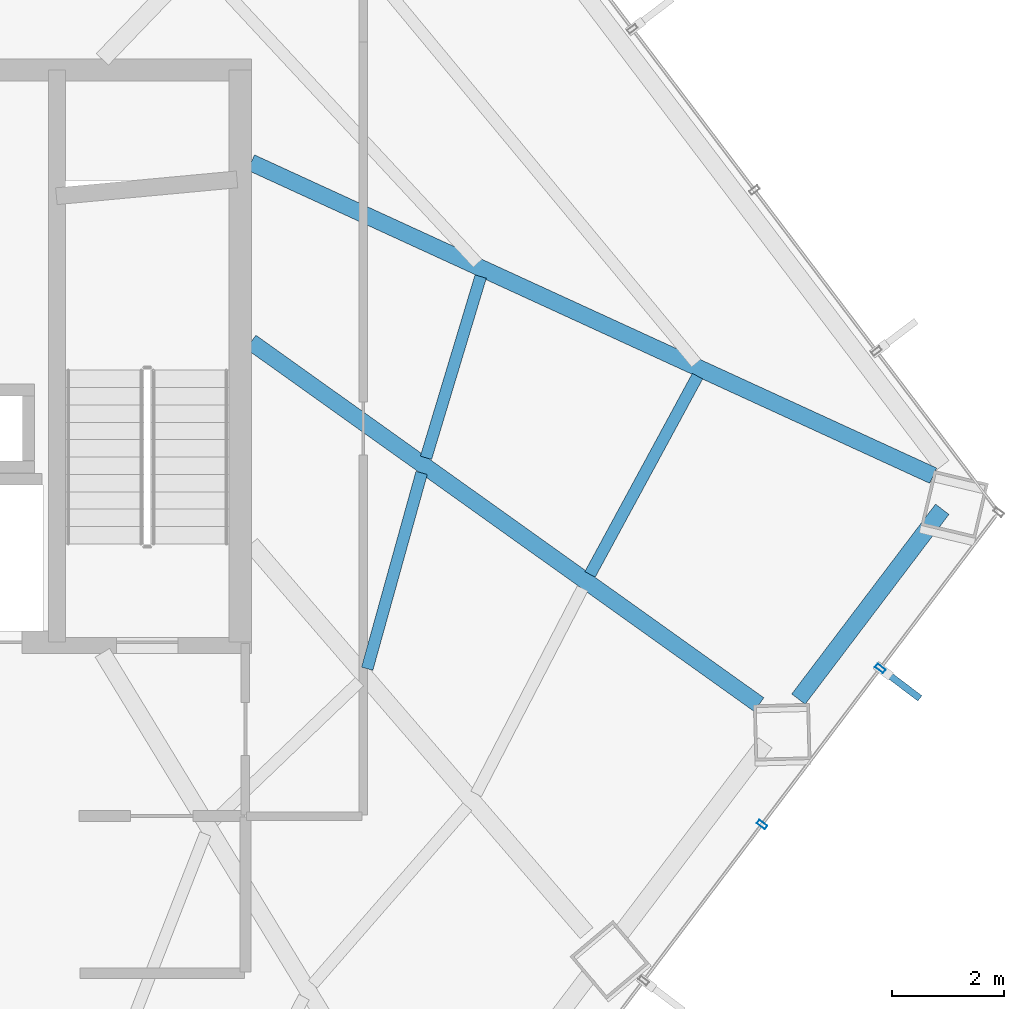
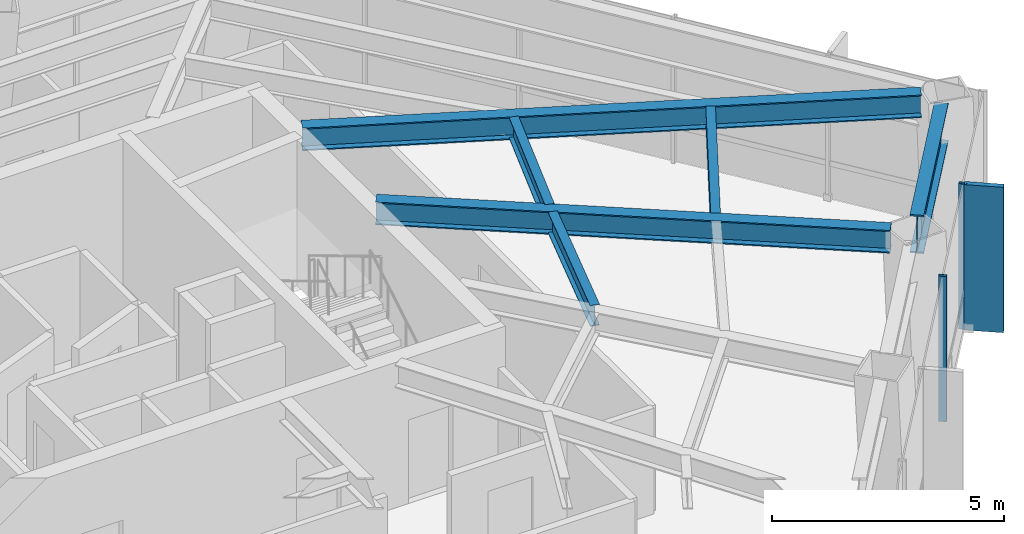
# One storey, part 19 of 26: 6 beams, 3 members, 1 element without a shape of its own.
"""IFC4 building model written with IfcOpenShell, lengths in metres."""

from ifc_helpers import new_model, si_unit, direction, frame, origin, origin_2d, place, context, subcontext, project, spatial, rectangle, hollow_rectangle, i_section, extrude, material, layer, layer_set, material_profile, profile_set, type_object, element, aggregate, save


model = new_model("IFC4")

# Units and contexts
model_context = context("Model", 3, precision=1e-05, world=origin(), true_north=direction((0.0, 1.0)))
body_context = subcontext(model_context, "Body", "Model", "MODEL_VIEW")
ifc_project = project(units=[si_unit("LENGTHUNIT", "METRE"), si_unit("AREAUNIT", "SQUARE_METRE"), si_unit("VOLUMEUNIT", "CUBIC_METRE"), si_unit("PLANEANGLEUNIT", "RADIAN"), si_unit("MASSUNIT", "GRAM", prefix="KILO")], contexts=[model_context])

# Site, building, storey
site_placement = place(None, origin())
site = spatial("IfcSite", under=ifc_project, at=site_placement, CompositionType="ELEMENT")
building_placement = place(site_placement, origin())
building = spatial("IfcBuilding", under=site, at=building_placement, Name="Zarrinselat Tower", CompositionType="ELEMENT")
storey_placement = place(building_placement, frame((0.0, 0.0, 60.179931640625)))
storey = spatial("IfcBuildingStorey", under=building, at=storey_placement, Name="L14", CompositionType="ELEMENT", Elevation=60.179931640625)

# Beams
ifc_material_1 = material(Name="Steel S355J2", Category="steel")
ifc_material_profile_1 = material_profile(ifc_material_1, i_section(OverallWidth=0.300048828125, OverallDepth=0.60009765625, WebThickness=0.015380859375, FlangeThickness=0.030029296875, at=origin_2d()), Name="HEB 600")
ifc_profile_set_1 = profile_set([ifc_material_profile_1], Name="Steel S355J2")
beam_type_1 = type_object("IfcBeamType", Name="BM-HEB600", PredefinedType="BEAM", material=ifc_profile_set_1)
beam_1_placement = place(storey_placement, frame((48.449951171875, 38.60009765625, 3.52001953125), z_axis=(0.813932118298, -0.580959987266, 0.0), x_axis=(0.580959987266, 0.813932118298, 0.0)))
element("IfcBeam", 1, at=beam_1_placement, inside=storey, type_object=beam_type_1, Name="L14 Radial Primary Girder RG14", PredefinedType="BEAM", context=body_context, shape_type="SweptSolid", body=[
    extrude(i_section(OverallWidth=0.300048828125, OverallDepth=0.60009765625, WebThickness=0.015380859375, FlangeThickness=0.030029296875, at=origin_2d()), origin(), (0.0, 0.0, 1.0), 11.125),
])
beam_2_placement = place(storey_placement, frame((48.449951171875, 41.800048828125, 3.52001953125), z_axis=(0.908819339595, -0.417189894386, 0.0), x_axis=(0.417189894386, 0.908819339595, 0.0)))
element("IfcBeam", 2, at=beam_2_placement, inside=storey, type_object=beam_type_1, Name="L14 Radial Primary Girder RG15", PredefinedType="BEAM", context=body_context, shape_type="SweptSolid", body=[
    extrude(i_section(OverallWidth=0.300048828125, OverallDepth=0.60009765625, WebThickness=0.015380859375, FlangeThickness=0.030029296875, at=origin_2d()), origin(), (0.0, 0.0, 1.0), 13.38134765625),
])
ifc_material_2 = material(Name="Steel S460M", Category="steel")
ifc_material_profile_2 = material_profile(ifc_material_2, i_section(OverallWidth=0.302001953125, OverallDepth=1.008056640625, WebThickness=0.02099609375, FlangeThickness=0.0400390625, at=origin_2d()), Name="HEM 1000")
ifc_profile_set_2 = profile_set([ifc_material_profile_2], Name="Steel S460M")
beam_type_2 = type_object("IfcBeamType", Name="BM-HEM1000", PredefinedType="BEAM", material=ifc_profile_set_2)
beam_3_placement = place(storey_placement, frame((58.208251953125, 32.234375, 3.316162109375), z_axis=(0.603856581056, 0.797092986743, 0.0), x_axis=(-0.797092986743, 0.603856581056, 0.0)))
element("IfcBeam", 3, at=beam_3_placement, inside=storey, type_object=beam_type_2, Name="L14 Perimeter Spandrel Girder SP14", PredefinedType="BEAM", context=body_context, shape_type="SweptSolid", body=[
    extrude(i_section(OverallWidth=0.302001953125, OverallDepth=1.008056640625, WebThickness=0.02099609375, FlangeThickness=0.0400390625, at=origin_2d()), origin(), (0.0, 0.0, 1.0), 4.246337890625),
])
ifc_material_3 = material(Name="Steel S355J2", Category="steel")
ifc_material_profile_3 = material_profile(ifc_material_3, i_section(OverallWidth=0.2099609375, OverallDepth=0.550048828125, WebThickness=0.010986328125, FlangeThickness=0.01708984375, at=origin_2d()), Name="IPE 550")
ifc_profile_set_3 = profile_set([ifc_material_profile_3], Name="Steel S355J2")
beam_type_3 = type_object("IfcBeamType", Name="BM-IPE550", PredefinedType="JOIST", material=ifc_profile_set_3)
beam_4_placement = place(storey_placement, frame((50.521240234375, 32.776123046875, 3.545166015625), z_axis=(0.26767513733, 0.963509221988, 0.0), x_axis=(-0.963509221988, 0.26767513733, 0.0)))
element("IfcBeam", 4, at=beam_4_placement, inside=storey, type_object=beam_type_3, Name="L14 Composite Floor Joist 4-2", PredefinedType="JOIST", context=body_context, shape_type="SweptSolid", body=[
    extrude(i_section(OverallWidth=0.2099609375, OverallDepth=0.550048828125, WebThickness=0.010986328125, FlangeThickness=0.01708984375, at=origin_2d()), origin(), (0.0, 0.0, 1.0), 3.623779296875),
])
beam_5_placement = place(storey_placement, frame((54.492919921875, 34.45751953125, 3.545166015625), z_axis=(0.476621493548, 0.879108612111, 0.0), x_axis=(-0.879108612111, 0.476621493548, 0.0)))
element("IfcBeam", 5, at=beam_5_placement, inside=storey, type_object=beam_type_3, Name="L14 Composite Floor Joist 5-1", PredefinedType="JOIST", context=body_context, shape_type="SweptSolid", body=[
    extrude(i_section(OverallWidth=0.2099609375, OverallDepth=0.550048828125, WebThickness=0.010986328125, FlangeThickness=0.01708984375, at=origin_2d()), origin(), (0.0, 0.0, 1.0), 4.02099609375),
])
beam_6_placement = place(storey_placement, frame((51.569091796875, 36.53662109375, 3.545166015625), z_axis=(0.288887020651, 0.957363196128, 0.0), x_axis=(-0.957363196128, 0.288887020651, 0.0)))
element("IfcBeam", 6, at=beam_6_placement, inside=storey, type_object=beam_type_3, Name="L14 Composite Floor Joist 5-2", PredefinedType="JOIST", context=body_context, shape_type="SweptSolid", body=[
    extrude(i_section(OverallWidth=0.2099609375, OverallDepth=0.550048828125, WebThickness=0.010986328125, FlangeThickness=0.01708984375, at=origin_2d()), origin(), (0.0, 0.0, 1.0), 3.375244140625),
])

# Curtain wall, members
ifc_material_4 = material(Name="Extruded Aluminium Alloy EN AW-6063 T6", Category="aluminium")
ifc_layer = layer(ifc_material_4, 0.18505859375)
ifc_layer_set = layer_set([ifc_layer], Name="Extruded Aluminium Alloy EN AW-6063 T6")
curtain_wall_type = type_object("IfcCurtainWallType", Name="CWS-OFF", PredefinedType="NOTDEFINED", material=ifc_layer_set)
curtain_wall_placement = place(storey_placement, origin())
curtain_wall = element("IfcCurtainWall", 7, at=curtain_wall_placement, inside=storey, type_object=curtain_wall_type, Name="L14 Unitised Curtain Wall CW-L14-E05", PredefinedType="NOTDEFINED")
ifc_material_5 = material(Name="Extruded Aluminium Alloy EN AW-6063 T6", Category="aluminium")
ifc_material_profile_4 = material_profile(ifc_material_5, hollow_rectangle(XDim=0.080078125, YDim=0.179931640625, WallThickness=0.0048828125, at=origin_2d()), Name="RHS 180x80x5")
ifc_profile_set_4 = profile_set([ifc_material_profile_4], Name="Extruded Aluminium Alloy EN AW-6063 T6")
member_type_1 = type_object("IfcMemberType", Name="MEM-CW-MUL", PredefinedType="MULLION", material=ifc_profile_set_4)
member_1_placement = place(storey_placement, frame((57.55908203125, 29.997802734375, 0.0), z_axis=(0.0, 0.0, 1.0), x_axis=(0.603860811653, 0.797089781737, 0.0)))
member_1 = element("IfcMember", 8, at=member_1_placement, type_object=member_type_1, Name="CW-L14-E05 Mullion 4", PredefinedType="MULLION", context=body_context, shape_type="SweptSolid", body=[
    extrude(hollow_rectangle(XDim=0.080078125, YDim=0.179931640625, WallThickness=0.0048828125, at=origin_2d()), origin(), (0.0, 0.0, 1.0), 3.820068359375),
])
member_2_placement = place(storey_placement, frame((59.668212890625, 32.781982421875, 0.0), z_axis=(0.0, 0.0, 1.0), x_axis=(0.603860811653, 0.797089781737, 0.0)))
member_2 = element("IfcMember", 9, at=member_2_placement, type_object=member_type_1, Name="CW-L14-E05 Mullion 5", PredefinedType="MULLION", context=body_context, shape_type="SweptSolid", body=[
    extrude(hollow_rectangle(XDim=0.080078125, YDim=0.179931640625, WallThickness=0.0048828125, at=origin_2d()), origin(), (0.0, 0.0, 1.0), 3.820068359375),
])
ifc_material_6 = material(Name="Honed Cream Travertine Stone", Category="masonry")
ifc_material_profile_5 = material_profile(ifc_material_6, rectangle(XDim=0.1201171875, YDim=0.85009765625, at=origin_2d()), Name="FIN 850x120")
ifc_profile_set_5 = profile_set([ifc_material_profile_5], Name="Honed Cream Travertine Stone")
member_type_2 = type_object("IfcMemberType", Name="MEM-STONE-FIN", PredefinedType="USERDEFINED", material=ifc_profile_set_5)
member_3_placement = place(storey_placement, frame((60.034912109375, 32.504150390625, 0.0), z_axis=(0.0, 0.0, 1.0), x_axis=(-0.603860811653, -0.797089781737, 0.0)))
member_3 = element("IfcMember", 10, at=member_3_placement, type_object=member_type_2, Name="L14 Stone Shading Fin CW-L14-E05-05", ObjectType="FIN", PredefinedType="USERDEFINED", context=body_context, shape_type="SweptSolid", body=[
    extrude(rectangle(XDim=0.1201171875, YDim=0.85009765625, at=origin_2d()), origin(), (0.0, 0.0, 1.0), 3.820068359375),
])
aggregate(curtain_wall, [member_1, member_2, member_3])

save(model, "model.ifc")
